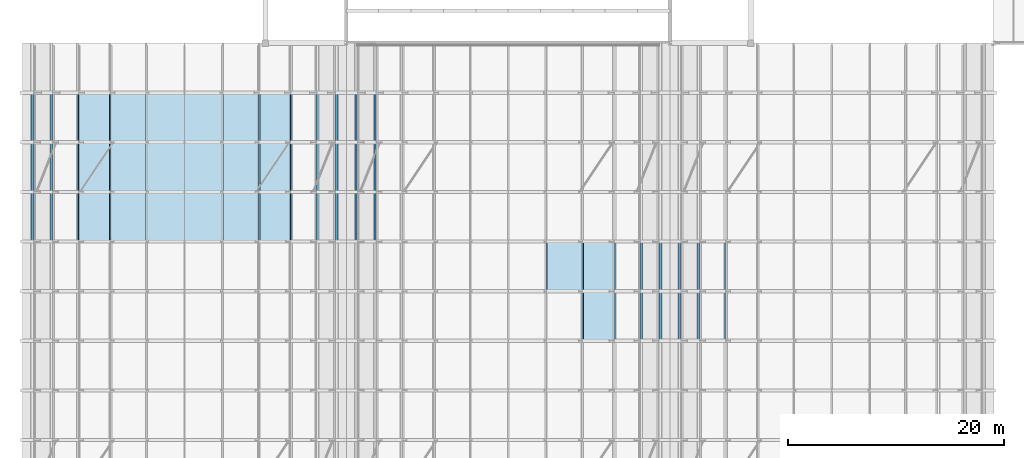
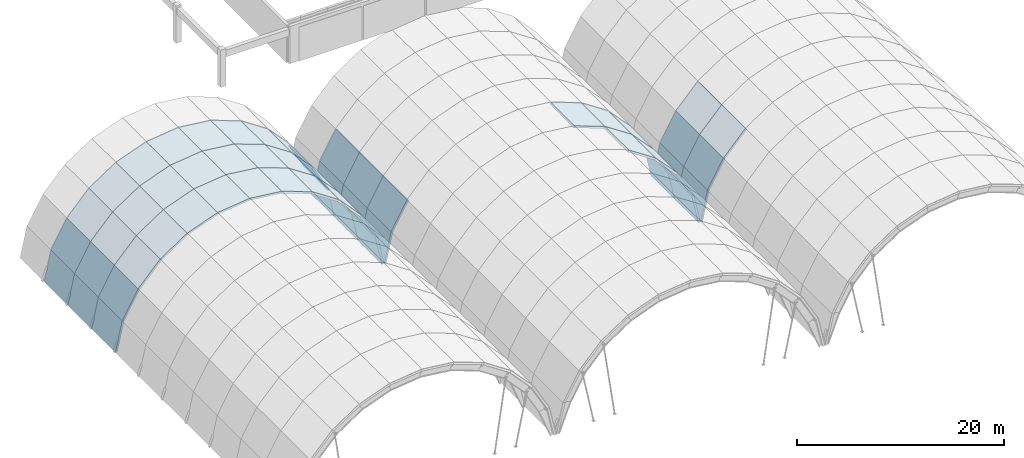
# One storey, part 22 of 47: 57 slabs, 3 elements without a shape of their own.
"""IFC4 building model written with IfcOpenShell, lengths in metres."""

from ifc_helpers import new_model, si_unit, direction, frame, origin, place, context, subcontext, project, spatial, polyline, outline, extrude, material, layer, layer_set, type_object, element, aggregate, save


model = new_model("IFC4")

# Units and contexts
model_context = context("Model", 3, precision=1e-05, world=origin(), true_north=direction((0.0, 1.0)))
body_context = subcontext(model_context, "Body", "Model", "MODEL_VIEW")
ifc_project = project(units=[si_unit("LENGTHUNIT", "METRE"), si_unit("AREAUNIT", "SQUARE_METRE"), si_unit("VOLUMEUNIT", "CUBIC_METRE"), si_unit("PLANEANGLEUNIT", "RADIAN"), si_unit("MASSUNIT", "GRAM", prefix="KILO")], contexts=[model_context])

# Site, building, storey
site_placement = place(None, origin())
site = spatial("IfcSite", under=ifc_project, at=site_placement, CompositionType="ELEMENT")
building_placement = place(site_placement, origin())
building = spatial("IfcBuilding", under=site, at=building_placement, Name="Muzn Square Opera House", CompositionType="ELEMENT")
storey_placement = place(building_placement, frame((0.0, 0.0, 31.0)))
storey = spatial("IfcBuildingStorey", under=building, at=storey_placement, Name="RF-1", CompositionType="ELEMENT", Elevation=31.0)

# Roof, slabs
ifc_material_1 = material(Name="Patina green copper-zinc standing seam", Category="metal")
roof_type = type_object("IfcRoofType", Name="Barrel Vault Roof Assembly", PredefinedType="BARREL_ROOF", material=ifc_material_1)
roof_1_placement = place(storey_placement, origin())
roof_1 = element("IfcRoof", 1, at=roof_1_placement, inside=storey, type_object=roof_type, Name="West Salon Barrel Vault Roof Assembly", PredefinedType="BARREL_ROOF")
ifc_material_2 = material(Name="Concrete C40/50", Category="concrete")
ifc_layer = layer(ifc_material_2, 0.219970703125, Name="Concrete C40/50", Category="concrete")
ifc_layer_set = layer_set([ifc_layer], Name="Concrete C40/50")
slab_type = type_object("IfcSlabType", Name="Barrel Vault Roof Slab 220mm", PredefinedType="ROOF", material=ifc_layer_set)
slab_1_placement = place(storey_placement, frame((43.780029296875, 54.199951171875, -9.03564453125), z_axis=(-0.97702538959, 0.0, 0.213122941272), x_axis=(0.0, 1.0, 0.0)))
slab_1 = element("IfcSlab", 2, at=slab_1_placement, type_object=slab_type, Name="Barrel Vault Roof Deck Strip V1-07-F00", PredefinedType="ROOF", context=body_context, shape_type="SweptSolid", body=[
    extrude(outline(polyline([(0.0, 3.5523162058829336), (0.0, 0.0), (4.60009765625, 0.0), (4.60009765625, 3.5523162058829336), (0.0, 3.5523162058829336)])), origin(), (0.0, 0.0, -1.0), 0.219970703125),
])
slab_2_placement = place(storey_placement, frame((45.55712890625, 54.199951171875, -5.891845703125), z_axis=(-0.870542692247, 0.0, 0.492092898724), x_axis=(0.0, 1.0, 0.0)))
slab_2 = element("IfcSlab", 3, at=slab_2_placement, type_object=slab_type, Name="Barrel Vault Roof Deck Strip V1-07-F01", PredefinedType="ROOF", context=body_context, shape_type="SweptSolid", body=[
    extrude(outline(polyline([(0.0, 3.611309193818898), (0.0, 0.0), (4.60009765625, 0.0), (4.60009765625, 3.611309193818898), (0.0, 3.611309193818898)])), origin(), (0.0, 0.0, -1.0), 0.219970703125),
])
slab_3_placement = place(storey_placement, frame((48.016845703125, 54.199951171875, -3.24755859375), z_axis=(-0.732198498352, 0.0, 0.681091300055), x_axis=(0.0, 1.0, 0.0)))
slab_3 = element("IfcSlab", 4, at=slab_3_placement, type_object=slab_type, Name="Barrel Vault Roof Deck Strip V1-07-F02", PredefinedType="ROOF", context=body_context, shape_type="SweptSolid", body=[
    extrude(outline(polyline([(0.0, 3.6114347616474824), (0.0, 0.0), (4.60009765625, 0.0), (4.60009765625, 3.6114347616474824), (0.0, 3.6114347616474824)])), origin(), (0.0, 0.0, -1.0), 0.219970703125),
])
slab_4_placement = place(storey_placement, frame((51.02392578125, 54.199951171875, -1.248046875), z_axis=(-0.553701293488, 0.0, 0.832715364089), x_axis=(0.0, 1.0, 0.0)))
slab_4 = element("IfcSlab", 5, at=slab_4_placement, type_object=slab_type, Name="Barrel Vault Roof Deck Strip V1-07-F03", PredefinedType="ROOF", context=body_context, shape_type="SweptSolid", body=[
    extrude(outline(polyline([(0.0, 3.611174007116637), (0.0, 0.0), (4.60009765625, 0.0), (4.60009765625, 3.611174007116637), (0.0, 3.611174007116637)])), origin(), (0.0, 0.0, -1.0), 0.219970703125),
])
slab_5_placement = place(storey_placement, frame((54.41357421875, 54.199951171875, -0.00244140625), z_axis=(-0.344922006795, 0.0, 0.938631348948), x_axis=(0.0, 1.0, 0.0)))
slab_5 = element("IfcSlab", 6, at=slab_5_placement, type_object=slab_type, Name="Barrel Vault Roof Deck Strip V1-07-F04", PredefinedType="ROOF", context=body_context, shape_type="SweptSolid", body=[
    extrude(outline(polyline([(0.0, 3.6112670233072075), (0.0, 0.0), (4.60009765625, 0.0), (4.60009765625, 3.6112670233072075), (0.0, 3.6112670233072075)])), origin(), (0.0, 0.0, -1.0), 0.219970703125),
])
slab_6_placement = place(storey_placement, frame((58.0, 54.199951171875, 0.419921875), z_axis=(-0.116958923267, 0.0, 0.993136753055), x_axis=(0.0, 1.0, 0.0)))
slab_6 = element("IfcSlab", 7, at=slab_6_placement, type_object=slab_type, Name="Barrel Vault Roof Deck Strip V1-07-F05", PredefinedType="ROOF", context=body_context, shape_type="SweptSolid", body=[
    extrude(outline(polyline([(0.0, 3.611210410065154), (0.0, 0.0), (4.60009765625, 0.0), (4.60009765625, 3.611210410065154), (0.0, 3.611210410065154)])), origin(), (0.0, 0.0, -1.0), 0.219970703125),
])
slab_7_placement = place(storey_placement, frame((58.0, 54.199951171875, 0.419921875), z_axis=(0.116958923267, 0.0, 0.993136753055), x_axis=(0.993136753055, 0.0, -0.116958923267)))
slab_7 = element("IfcSlab", 8, at=slab_7_placement, type_object=slab_type, Name="Barrel Vault Roof Deck Strip V1-07-F06", PredefinedType="ROOF", context=body_context, shape_type="SweptSolid", body=[
    extrude(outline(polyline([(0.0, 0.0), (3.611210410065154, 0.0), (3.611210410065154, 4.60009765625), (0.0, 4.60009765625), (0.0, 0.0)])), origin(), (0.0, 0.0, -1.0), 0.219970703125),
])
slab_8_placement = place(storey_placement, frame((61.58642578125, 54.199951171875, -0.00244140625), z_axis=(0.344922006795, 0.0, 0.938631348948), x_axis=(0.938631348948, 0.0, -0.344922006795)))
slab_8 = element("IfcSlab", 9, at=slab_8_placement, type_object=slab_type, Name="Barrel Vault Roof Deck Strip V1-07-F07", PredefinedType="ROOF", context=body_context, shape_type="SweptSolid", body=[
    extrude(outline(polyline([(0.0, 0.0), (3.6112670233072075, 0.0), (3.6112670233072075, 4.60009765625), (0.0, 4.60009765625), (0.0, 0.0)])), origin(), (0.0, 0.0, -1.0), 0.219970703125),
])
slab_9_placement = place(storey_placement, frame((64.97607421875, 54.199951171875, -1.248046875), z_axis=(0.553701293488, 0.0, 0.832715364089), x_axis=(0.832715364089, 0.0, -0.553701293488)))
slab_9 = element("IfcSlab", 10, at=slab_9_placement, type_object=slab_type, Name="Barrel Vault Roof Deck Strip V1-07-F08", PredefinedType="ROOF", context=body_context, shape_type="SweptSolid", body=[
    extrude(outline(polyline([(0.0, 0.0), (3.611174007116638, 0.0), (3.611174007116638, 4.600097656249999), (0.0, 4.600097656249999), (0.0, 0.0)])), origin(), (0.0, 0.0, -1.0), 0.219970703125),
])
slab_10_placement = place(storey_placement, frame((67.983154296875, 54.199951171875, -3.24755859375), z_axis=(0.732198498352, 0.0, 0.681091300055), x_axis=(0.681091300055, 0.0, -0.732198498352)))
slab_10 = element("IfcSlab", 11, at=slab_10_placement, type_object=slab_type, Name="Barrel Vault Roof Deck Strip V1-07-F09", PredefinedType="ROOF", context=body_context, shape_type="SweptSolid", body=[
    extrude(outline(polyline([(0.0, 0.0), (3.611434761647482, 0.0), (3.611434761647482, 4.600097656250001), (0.0, 4.600097656250001), (0.0, 0.0)])), origin(), (0.0, 0.0, -1.0), 0.219970703125),
])
slab_11_placement = place(storey_placement, frame((70.44287109375, 54.199951171875, -5.891845703125), z_axis=(0.870542692247, 0.0, 0.492092898724), x_axis=(0.492092898724, 0.0, -0.870542692247)))
slab_11 = element("IfcSlab", 12, at=slab_11_placement, type_object=slab_type, Name="Barrel Vault Roof Deck Strip V1-07-F10", PredefinedType="ROOF", context=body_context, shape_type="SweptSolid", body=[
    extrude(outline(polyline([(0.0, 0.0), (3.611309193818898, 0.0), (3.611309193818898, 4.60009765625), (0.0, 4.60009765625), (0.0, 0.0)])), origin(), (0.0, 0.0, -1.0), 0.219970703125),
])
slab_12_placement = place(storey_placement, frame((72.219970703125, 54.199951171875, -9.03564453125), z_axis=(0.97702538959, 0.0, 0.213122941272), x_axis=(0.213122941272, 0.0, -0.97702538959)))
slab_12 = element("IfcSlab", 13, at=slab_12_placement, type_object=slab_type, Name="Barrel Vault Roof Deck Strip V1-07-F11", PredefinedType="ROOF", context=body_context, shape_type="SweptSolid", body=[
    extrude(outline(polyline([(0.0, 0.0), (3.5523162058829336, 0.0), (3.5523162058829336, 4.60009765625), (0.0, 4.60009765625), (0.0, 0.0)])), origin(), (0.0, 0.0, -1.0), 0.219970703125),
])
slab_13_placement = place(storey_placement, frame((43.780029296875, 58.800048828125, -9.03564453125), z_axis=(-0.97702538959, 0.0, 0.213122941272), x_axis=(0.0, 1.0, 0.0)))
slab_13 = element("IfcSlab", 14, at=slab_13_placement, type_object=slab_type, Name="Barrel Vault Roof Deck Strip V1-08-F00", PredefinedType="ROOF", context=body_context, shape_type="SweptSolid", body=[
    extrude(outline(polyline([(0.0, 3.5523162058829336), (0.0, 0.0), (4.599853515625, 0.0), (4.599853515625, 3.5523162058829336), (0.0, 3.5523162058829336)])), origin(), (0.0, 0.0, -1.0), 0.219970703125),
])
slab_14_placement = place(storey_placement, frame((45.55712890625, 58.800048828125, -5.891845703125), z_axis=(-0.870542692247, 0.0, 0.492092898724), x_axis=(0.0, 1.0, 0.0)))
slab_14 = element("IfcSlab", 15, at=slab_14_placement, type_object=slab_type, Name="Barrel Vault Roof Deck Strip V1-08-F01", PredefinedType="ROOF", context=body_context, shape_type="SweptSolid", body=[
    extrude(outline(polyline([(0.0, 3.611309193818898), (0.0, 0.0), (4.599853515625, 0.0), (4.599853515625, 3.611309193818898), (0.0, 3.611309193818898)])), origin(), (0.0, 0.0, -1.0), 0.219970703125),
])
slab_15_placement = place(storey_placement, frame((48.016845703125, 58.800048828125, -3.24755859375), z_axis=(-0.732198498352, 0.0, 0.681091300055), x_axis=(0.0, 1.0, 0.0)))
slab_15 = element("IfcSlab", 16, at=slab_15_placement, type_object=slab_type, Name="Barrel Vault Roof Deck Strip V1-08-F02", PredefinedType="ROOF", context=body_context, shape_type="SweptSolid", body=[
    extrude(outline(polyline([(0.0, 3.6114347616474816), (0.0, 0.0), (4.599853515625, 0.0), (4.599853515625, 3.6114347616474816), (0.0, 3.6114347616474816)])), origin(), (0.0, 0.0, -1.0), 0.219970703125),
])
slab_16_placement = place(storey_placement, frame((51.02392578125, 58.800048828125, -1.248046875), z_axis=(-0.553701293488, 0.0, 0.832715364089), x_axis=(0.0, 1.0, 0.0)))
slab_16 = element("IfcSlab", 17, at=slab_16_placement, type_object=slab_type, Name="Barrel Vault Roof Deck Strip V1-08-F03", PredefinedType="ROOF", context=body_context, shape_type="SweptSolid", body=[
    extrude(outline(polyline([(0.0, 3.6111740071166376), (0.0, 0.0), (4.599853515625, 0.0), (4.599853515625, 3.6111740071166376), (0.0, 3.6111740071166376)])), origin(), (0.0, 0.0, -1.0), 0.219970703125),
])
slab_17_placement = place(storey_placement, frame((54.41357421875, 58.800048828125, -0.00244140625), z_axis=(-0.344922006795, 0.0, 0.938631348948), x_axis=(0.0, 1.0, 0.0)))
slab_17 = element("IfcSlab", 18, at=slab_17_placement, type_object=slab_type, Name="Barrel Vault Roof Deck Strip V1-08-F04", PredefinedType="ROOF", context=body_context, shape_type="SweptSolid", body=[
    extrude(outline(polyline([(0.0, 3.6112670233072075), (0.0, 0.0), (4.599853515625, 0.0), (4.599853515625, 3.6112670233072075), (0.0, 3.6112670233072075)])), origin(), (0.0, 0.0, -1.0), 0.219970703125),
])
slab_18_placement = place(storey_placement, frame((58.0, 58.800048828125, 0.419921875), z_axis=(-0.116958923267, 0.0, 0.993136753055), x_axis=(0.0, 1.0, 0.0)))
slab_18 = element("IfcSlab", 19, at=slab_18_placement, type_object=slab_type, Name="Barrel Vault Roof Deck Strip V1-08-F05", PredefinedType="ROOF", context=body_context, shape_type="SweptSolid", body=[
    extrude(outline(polyline([(0.0, 3.611210410065154), (0.0, 0.0), (4.599853515625, 0.0), (4.599853515625, 3.611210410065154), (0.0, 3.611210410065154)])), origin(), (0.0, 0.0, -1.0), 0.219970703125),
])
slab_19_placement = place(storey_placement, frame((58.0, 58.800048828125, 0.419921875), z_axis=(0.116958923267, 0.0, 0.993136753055), x_axis=(0.993136753055, 0.0, -0.116958923267)))
slab_19 = element("IfcSlab", 20, at=slab_19_placement, type_object=slab_type, Name="Barrel Vault Roof Deck Strip V1-08-F06", PredefinedType="ROOF", context=body_context, shape_type="SweptSolid", body=[
    extrude(outline(polyline([(0.0, 0.0), (3.611210410065154, 0.0), (3.611210410065154, 4.599853515625), (0.0, 4.599853515625), (0.0, 0.0)])), origin(), (0.0, 0.0, -1.0), 0.219970703125),
])
slab_20_placement = place(storey_placement, frame((61.58642578125, 58.800048828125, -0.00244140625), z_axis=(0.344922006795, 0.0, 0.938631348948), x_axis=(0.938631348948, 0.0, -0.344922006795)))
slab_20 = element("IfcSlab", 21, at=slab_20_placement, type_object=slab_type, Name="Barrel Vault Roof Deck Strip V1-08-F07", PredefinedType="ROOF", context=body_context, shape_type="SweptSolid", body=[
    extrude(outline(polyline([(0.0, 0.0), (3.6112670233072075, 0.0), (3.6112670233072075, 4.599853515625), (0.0, 4.599853515625), (0.0, 0.0)])), origin(), (0.0, 0.0, -1.0), 0.219970703125),
])
slab_21_placement = place(storey_placement, frame((64.97607421875, 58.800048828125, -1.248046875), z_axis=(0.553701293488, 0.0, 0.832715364089), x_axis=(0.832715364089, 0.0, -0.553701293488)))
slab_21 = element("IfcSlab", 22, at=slab_21_placement, type_object=slab_type, Name="Barrel Vault Roof Deck Strip V1-08-F08", PredefinedType="ROOF", context=body_context, shape_type="SweptSolid", body=[
    extrude(outline(polyline([(0.0, 0.0), (3.611174007116638, 0.0), (3.611174007116638, 4.599853515625), (0.0, 4.599853515625), (0.0, 0.0)])), origin(), (0.0, 0.0, -1.0), 0.219970703125),
])
slab_22_placement = place(storey_placement, frame((67.983154296875, 58.800048828125, -3.24755859375), z_axis=(0.732198498352, 0.0, 0.681091300055), x_axis=(0.681091300055, 0.0, -0.732198498352)))
slab_22 = element("IfcSlab", 23, at=slab_22_placement, type_object=slab_type, Name="Barrel Vault Roof Deck Strip V1-08-F09", PredefinedType="ROOF", context=body_context, shape_type="SweptSolid", body=[
    extrude(outline(polyline([(0.0, 0.0), (3.611434761647482, 0.0), (3.611434761647482, 4.599853515625), (0.0, 4.599853515625), (0.0, 0.0)])), origin(), (0.0, 0.0, -1.0), 0.219970703125),
])
slab_23_placement = place(storey_placement, frame((70.44287109375, 58.800048828125, -5.891845703125), z_axis=(0.870542692247, 0.0, 0.492092898724), x_axis=(0.492092898724, 0.0, -0.870542692247)))
slab_23 = element("IfcSlab", 24, at=slab_23_placement, type_object=slab_type, Name="Barrel Vault Roof Deck Strip V1-08-F10", PredefinedType="ROOF", context=body_context, shape_type="SweptSolid", body=[
    extrude(outline(polyline([(0.0, 0.0), (3.611309193818898, 0.0), (3.611309193818898, 4.599853515625), (0.0, 4.599853515625), (0.0, 0.0)])), origin(), (0.0, 0.0, -1.0), 0.219970703125),
])
slab_24_placement = place(storey_placement, frame((72.219970703125, 58.800048828125, -9.03564453125), z_axis=(0.97702538959, 0.0, 0.213122941272), x_axis=(0.213122941272, 0.0, -0.97702538959)))
slab_24 = element("IfcSlab", 25, at=slab_24_placement, type_object=slab_type, Name="Barrel Vault Roof Deck Strip V1-08-F11", PredefinedType="ROOF", context=body_context, shape_type="SweptSolid", body=[
    extrude(outline(polyline([(0.0, 0.0), (3.5523162058829336, 0.0), (3.5523162058829336, 4.599853515625), (0.0, 4.599853515625), (0.0, 0.0)])), origin(), (0.0, 0.0, -1.0), 0.219970703125),
])
slab_25_placement = place(storey_placement, frame((43.780029296875, 63.39990234375, -9.03564453125), z_axis=(-0.97702538959, 0.0, 0.213122941272), x_axis=(0.0, 1.0, 0.0)))
slab_25 = element("IfcSlab", 26, at=slab_25_placement, type_object=slab_type, Name="Barrel Vault Roof Deck Strip V1-09-F00", PredefinedType="ROOF", context=body_context, shape_type="SweptSolid", body=[
    extrude(outline(polyline([(0.0, 3.5523162058829336), (0.0, 0.0), (4.60009765625, 0.0), (4.60009765625, 3.5523162058829336), (0.0, 3.5523162058829336)])), origin(), (0.0, 0.0, -1.0), 0.219970703125),
])
slab_26_placement = place(storey_placement, frame((45.55712890625, 63.39990234375, -5.891845703125), z_axis=(-0.870542692247, 0.0, 0.492092898724), x_axis=(0.0, 1.0, 0.0)))
slab_26 = element("IfcSlab", 27, at=slab_26_placement, type_object=slab_type, Name="Barrel Vault Roof Deck Strip V1-09-F01", PredefinedType="ROOF", context=body_context, shape_type="SweptSolid", body=[
    extrude(outline(polyline([(0.0, 3.611309193818898), (0.0, 0.0), (4.60009765625, 0.0), (4.60009765625, 3.611309193818898), (0.0, 3.611309193818898)])), origin(), (0.0, 0.0, -1.0), 0.219970703125),
])
slab_27_placement = place(storey_placement, frame((48.016845703125, 63.39990234375, -3.24755859375), z_axis=(-0.732198498352, 0.0, 0.681091300055), x_axis=(0.0, 1.0, 0.0)))
slab_27 = element("IfcSlab", 28, at=slab_27_placement, type_object=slab_type, Name="Barrel Vault Roof Deck Strip V1-09-F02", PredefinedType="ROOF", context=body_context, shape_type="SweptSolid", body=[
    extrude(outline(polyline([(0.0, 3.6114347616474824), (0.0, 0.0), (4.60009765625, 0.0), (4.60009765625, 3.6114347616474824), (0.0, 3.6114347616474824)])), origin(), (0.0, 0.0, -1.0), 0.219970703125),
])
slab_28_placement = place(storey_placement, frame((51.02392578125, 63.39990234375, -1.248046875), z_axis=(-0.553701293488, 0.0, 0.832715364089), x_axis=(0.0, 1.0, 0.0)))
slab_28 = element("IfcSlab", 29, at=slab_28_placement, type_object=slab_type, Name="Barrel Vault Roof Deck Strip V1-09-F03", PredefinedType="ROOF", context=body_context, shape_type="SweptSolid", body=[
    extrude(outline(polyline([(0.0, 3.611174007116637), (0.0, 0.0), (4.60009765625, 0.0), (4.60009765625, 3.611174007116637), (0.0, 3.611174007116637)])), origin(), (0.0, 0.0, -1.0), 0.219970703125),
])
slab_29_placement = place(storey_placement, frame((54.41357421875, 63.39990234375, -0.00244140625), z_axis=(-0.344922006795, 0.0, 0.938631348948), x_axis=(0.0, 1.0, 0.0)))
slab_29 = element("IfcSlab", 30, at=slab_29_placement, type_object=slab_type, Name="Barrel Vault Roof Deck Strip V1-09-F04", PredefinedType="ROOF", context=body_context, shape_type="SweptSolid", body=[
    extrude(outline(polyline([(0.0, 3.6112670233072075), (0.0, 0.0), (4.60009765625, 0.0), (4.60009765625, 3.6112670233072075), (0.0, 3.6112670233072075)])), origin(), (0.0, 0.0, -1.0), 0.219970703125),
])
slab_30_placement = place(storey_placement, frame((58.0, 63.39990234375, 0.419921875), z_axis=(-0.116958923267, 0.0, 0.993136753055), x_axis=(0.0, 1.0, 0.0)))
slab_30 = element("IfcSlab", 31, at=slab_30_placement, type_object=slab_type, Name="Barrel Vault Roof Deck Strip V1-09-F05", PredefinedType="ROOF", context=body_context, shape_type="SweptSolid", body=[
    extrude(outline(polyline([(0.0, 3.611210410065154), (0.0, 0.0), (4.60009765625, 0.0), (4.60009765625, 3.611210410065154), (0.0, 3.611210410065154)])), origin(), (0.0, 0.0, -1.0), 0.219970703125),
])
slab_31_placement = place(storey_placement, frame((58.0, 63.39990234375, 0.419921875), z_axis=(0.116958923267, 0.0, 0.993136753055), x_axis=(0.993136753055, 0.0, -0.116958923267)))
slab_31 = element("IfcSlab", 32, at=slab_31_placement, type_object=slab_type, Name="Barrel Vault Roof Deck Strip V1-09-F06", PredefinedType="ROOF", context=body_context, shape_type="SweptSolid", body=[
    extrude(outline(polyline([(0.0, 0.0), (3.611210410065154, 0.0), (3.611210410065154, 4.60009765625), (0.0, 4.60009765625), (0.0, 0.0)])), origin(), (0.0, 0.0, -1.0), 0.219970703125),
])
slab_32_placement = place(storey_placement, frame((61.58642578125, 63.39990234375, -0.00244140625), z_axis=(0.344922006795, 0.0, 0.938631348948), x_axis=(0.938631348948, 0.0, -0.344922006795)))
slab_32 = element("IfcSlab", 33, at=slab_32_placement, type_object=slab_type, Name="Barrel Vault Roof Deck Strip V1-09-F07", PredefinedType="ROOF", context=body_context, shape_type="SweptSolid", body=[
    extrude(outline(polyline([(0.0, 0.0), (3.6112670233072075, 0.0), (3.6112670233072075, 4.60009765625), (0.0, 4.60009765625), (0.0, 0.0)])), origin(), (0.0, 0.0, -1.0), 0.219970703125),
])
slab_33_placement = place(storey_placement, frame((64.97607421875, 63.39990234375, -1.248046875), z_axis=(0.553701293488, 0.0, 0.832715364089), x_axis=(0.832715364089, 0.0, -0.553701293488)))
slab_33 = element("IfcSlab", 34, at=slab_33_placement, type_object=slab_type, Name="Barrel Vault Roof Deck Strip V1-09-F08", PredefinedType="ROOF", context=body_context, shape_type="SweptSolid", body=[
    extrude(outline(polyline([(0.0, 0.0), (3.611174007116638, 0.0), (3.611174007116638, 4.600097656249999), (0.0, 4.600097656249999), (0.0, 0.0)])), origin(), (0.0, 0.0, -1.0), 0.219970703125),
])
slab_34_placement = place(storey_placement, frame((67.983154296875, 63.39990234375, -3.24755859375), z_axis=(0.732198498352, 0.0, 0.681091300055), x_axis=(0.681091300055, 0.0, -0.732198498352)))
slab_34 = element("IfcSlab", 35, at=slab_34_placement, type_object=slab_type, Name="Barrel Vault Roof Deck Strip V1-09-F09", PredefinedType="ROOF", context=body_context, shape_type="SweptSolid", body=[
    extrude(outline(polyline([(0.0, 0.0), (3.611434761647482, 0.0), (3.611434761647482, 4.600097656250001), (0.0, 4.600097656250001), (0.0, 0.0)])), origin(), (0.0, 0.0, -1.0), 0.219970703125),
])
slab_35_placement = place(storey_placement, frame((70.44287109375, 63.39990234375, -5.891845703125), z_axis=(0.870542692247, 0.0, 0.492092898724), x_axis=(0.492092898724, 0.0, -0.870542692247)))
slab_35 = element("IfcSlab", 36, at=slab_35_placement, type_object=slab_type, Name="Barrel Vault Roof Deck Strip V1-09-F10", PredefinedType="ROOF", context=body_context, shape_type="SweptSolid", body=[
    extrude(outline(polyline([(0.0, 0.0), (3.611309193818898, 0.0), (3.611309193818898, 4.60009765625), (0.0, 4.60009765625), (0.0, 0.0)])), origin(), (0.0, 0.0, -1.0), 0.219970703125),
])
slab_36_placement = place(storey_placement, frame((72.219970703125, 63.39990234375, -9.03564453125), z_axis=(0.97702538959, 0.0, 0.213122941272), x_axis=(0.213122941272, 0.0, -0.97702538959)))
slab_36 = element("IfcSlab", 37, at=slab_36_placement, type_object=slab_type, Name="Barrel Vault Roof Deck Strip V1-09-F11", PredefinedType="ROOF", context=body_context, shape_type="SweptSolid", body=[
    extrude(outline(polyline([(0.0, 0.0), (3.5523162058829336, 0.0), (3.5523162058829336, 4.60009765625), (0.0, 4.60009765625), (0.0, 0.0)])), origin(), (0.0, 0.0, -1.0), 0.219970703125),
])
aggregate(roof_1, [slab_1, slab_2, slab_3, slab_4, slab_5, slab_6, slab_7, slab_8, slab_9, slab_10, slab_11, slab_12, slab_13, slab_14, slab_15, slab_16, slab_17, slab_18, slab_19, slab_20, slab_21, slab_22, slab_23, slab_24, slab_25, slab_26, slab_27, slab_28, slab_29, slab_30, slab_31, slab_32, slab_33, slab_34, slab_35, slab_36])

roof_2_placement = place(storey_placement, origin())
roof_2 = element("IfcRoof", 38, at=roof_2_placement, inside=storey, type_object=roof_type, Name="Grand Auditorium Barrel Vault Roof Assembly", PredefinedType="BARREL_ROOF")
slab_37_placement = place(storey_placement, frame((94.97607421875, 45.0, -1.248046875), z_axis=(0.553701293488, 0.0, 0.832715364089), x_axis=(0.832715364089, 0.0, -0.553701293488)))
slab_37 = element("IfcSlab", 39, at=slab_37_placement, type_object=slab_type, Name="Barrel Vault Roof Deck Strip V2-05-F08", PredefinedType="ROOF", context=body_context, shape_type="SweptSolid", body=[
    extrude(outline(polyline([(0.0, 0.0), (3.611174007116638, 0.0), (3.611174007116638, 4.600097656249999), (0.0, 4.600097656249999), (0.0, 0.0)])), origin(), (0.0, 0.0, -1.0), 0.219970703125),
])
slab_38_placement = place(storey_placement, frame((97.983154296875, 45.0, -3.24755859375), z_axis=(0.732198498352, 0.0, 0.681091300055), x_axis=(0.681091300055, 0.0, -0.732198498352)))
slab_38 = element("IfcSlab", 40, at=slab_38_placement, type_object=slab_type, Name="Barrel Vault Roof Deck Strip V2-05-F09", PredefinedType="ROOF", context=body_context, shape_type="SweptSolid", body=[
    extrude(outline(polyline([(0.0, 0.0), (3.611434761647482, 0.0), (3.611434761647482, 4.600097656250001), (0.0, 4.600097656250001), (0.0, 0.0)])), origin(), (0.0, 0.0, -1.0), 0.219970703125),
])
slab_39_placement = place(storey_placement, frame((100.44287109375, 45.0, -5.891845703125), z_axis=(0.870542692247, 0.0, 0.492092898724), x_axis=(0.492092898724, 0.0, -0.870542692247)))
slab_39 = element("IfcSlab", 41, at=slab_39_placement, type_object=slab_type, Name="Barrel Vault Roof Deck Strip V2-05-F10", PredefinedType="ROOF", context=body_context, shape_type="SweptSolid", body=[
    extrude(outline(polyline([(0.0, 0.0), (3.611309193818898, 0.0), (3.611309193818898, 4.60009765625), (0.0, 4.60009765625), (0.0, 0.0)])), origin(), (0.0, 0.0, -1.0), 0.219970703125),
])
slab_40_placement = place(storey_placement, frame((102.219970703125, 45.0, -9.03564453125), z_axis=(0.97702538959, 0.0, 0.213122941272), x_axis=(0.213122941272, 0.0, -0.97702538959)))
slab_40 = element("IfcSlab", 42, at=slab_40_placement, type_object=slab_type, Name="Barrel Vault Roof Deck Strip V2-05-F11", PredefinedType="ROOF", context=body_context, shape_type="SweptSolid", body=[
    extrude(outline(polyline([(0.0, 0.0), (3.5523162058829336, 0.0), (3.5523162058829336, 4.60009765625), (0.0, 4.60009765625), (0.0, 0.0)])), origin(), (0.0, 0.0, -1.0), 0.219970703125),
])
slab_41_placement = place(storey_placement, frame((91.58642578125, 49.60009765625, -0.00244140625), z_axis=(0.344922006795, 0.0, 0.938631348948), x_axis=(0.938631348948, 0.0, -0.344922006795)))
slab_41 = element("IfcSlab", 43, at=slab_41_placement, type_object=slab_type, Name="Barrel Vault Roof Deck Strip V2-06-F07", PredefinedType="ROOF", context=body_context, shape_type="SweptSolid", body=[
    extrude(outline(polyline([(0.0, 0.0), (3.6112670233072075, 0.0), (3.6112670233072075, 4.599853515625), (0.0, 4.599853515625), (0.0, 0.0)])), origin(), (0.0, 0.0, -1.0), 0.219970703125),
])
slab_42_placement = place(storey_placement, frame((94.97607421875, 49.60009765625, -1.248046875), z_axis=(0.553701293488, 0.0, 0.832715364089), x_axis=(0.832715364089, 0.0, -0.553701293488)))
slab_42 = element("IfcSlab", 44, at=slab_42_placement, type_object=slab_type, Name="Barrel Vault Roof Deck Strip V2-06-F08", PredefinedType="ROOF", context=body_context, shape_type="SweptSolid", body=[
    extrude(outline(polyline([(0.0, 0.0), (3.611174007116638, 0.0), (3.611174007116638, 4.599853515625), (0.0, 4.599853515625), (0.0, 0.0)])), origin(), (0.0, 0.0, -1.0), 0.219970703125),
])
slab_43_placement = place(storey_placement, frame((97.983154296875, 49.60009765625, -3.24755859375), z_axis=(0.732198498352, 0.0, 0.681091300055), x_axis=(0.681091300055, 0.0, -0.732198498352)))
slab_43 = element("IfcSlab", 45, at=slab_43_placement, type_object=slab_type, Name="Barrel Vault Roof Deck Strip V2-06-F09", PredefinedType="ROOF", context=body_context, shape_type="SweptSolid", body=[
    extrude(outline(polyline([(0.0, 0.0), (3.611434761647482, 0.0), (3.611434761647482, 4.599853515625), (0.0, 4.599853515625), (0.0, 0.0)])), origin(), (0.0, 0.0, -1.0), 0.219970703125),
])
slab_44_placement = place(storey_placement, frame((100.44287109375, 49.60009765625, -5.891845703125), z_axis=(0.870542692247, 0.0, 0.492092898724), x_axis=(0.492092898724, 0.0, -0.870542692247)))
slab_44 = element("IfcSlab", 46, at=slab_44_placement, type_object=slab_type, Name="Barrel Vault Roof Deck Strip V2-06-F10", PredefinedType="ROOF", context=body_context, shape_type="SweptSolid", body=[
    extrude(outline(polyline([(0.0, 0.0), (3.611309193818898, 0.0), (3.611309193818898, 4.599853515625), (0.0, 4.599853515625), (0.0, 0.0)])), origin(), (0.0, 0.0, -1.0), 0.219970703125),
])
slab_45_placement = place(storey_placement, frame((102.219970703125, 49.60009765625, -9.03564453125), z_axis=(0.97702538959, 0.0, 0.213122941272), x_axis=(0.213122941272, 0.0, -0.97702538959)))
slab_45 = element("IfcSlab", 47, at=slab_45_placement, type_object=slab_type, Name="Barrel Vault Roof Deck Strip V2-06-F11", PredefinedType="ROOF", context=body_context, shape_type="SweptSolid", body=[
    extrude(outline(polyline([(0.0, 0.0), (3.5523162058829336, 0.0), (3.5523162058829336, 4.599853515625), (0.0, 4.599853515625), (0.0, 0.0)])), origin(), (0.0, 0.0, -1.0), 0.219970703125),
])
slab_46_placement = place(storey_placement, frame((73.780029296875, 54.199951171875, -9.03564453125), z_axis=(-0.97702538959, 0.0, 0.213122941272), x_axis=(0.0, 1.0, 0.0)))
slab_46 = element("IfcSlab", 48, at=slab_46_placement, type_object=slab_type, Name="Barrel Vault Roof Deck Strip V2-07-F00", PredefinedType="ROOF", context=body_context, shape_type="SweptSolid", body=[
    extrude(outline(polyline([(0.0, 3.5523162058829336), (0.0, 0.0), (4.60009765625, 0.0), (4.60009765625, 3.5523162058829336), (0.0, 3.5523162058829336)])), origin(), (0.0, 0.0, -1.0), 0.219970703125),
])
slab_47_placement = place(storey_placement, frame((75.55712890625, 54.199951171875, -5.891845703125), z_axis=(-0.870542692247, 0.0, 0.492092898724), x_axis=(0.0, 1.0, 0.0)))
slab_47 = element("IfcSlab", 49, at=slab_47_placement, type_object=slab_type, Name="Barrel Vault Roof Deck Strip V2-07-F01", PredefinedType="ROOF", context=body_context, shape_type="SweptSolid", body=[
    extrude(outline(polyline([(0.0, 3.611309193818898), (0.0, 0.0), (4.60009765625, 0.0), (4.60009765625, 3.611309193818898), (0.0, 3.611309193818898)])), origin(), (0.0, 0.0, -1.0), 0.219970703125),
])
slab_48_placement = place(storey_placement, frame((73.780029296875, 58.800048828125, -9.03564453125), z_axis=(-0.97702538959, 0.0, 0.213122941272), x_axis=(0.0, 1.0, 0.0)))
slab_48 = element("IfcSlab", 50, at=slab_48_placement, type_object=slab_type, Name="Barrel Vault Roof Deck Strip V2-08-F00", PredefinedType="ROOF", context=body_context, shape_type="SweptSolid", body=[
    extrude(outline(polyline([(0.0, 3.5523162058829336), (0.0, 0.0), (4.599853515625, 0.0), (4.599853515625, 3.5523162058829336), (0.0, 3.5523162058829336)])), origin(), (0.0, 0.0, -1.0), 0.219970703125),
])
slab_49_placement = place(storey_placement, frame((75.55712890625, 58.800048828125, -5.891845703125), z_axis=(-0.870542692247, 0.0, 0.492092898724), x_axis=(0.0, 1.0, 0.0)))
slab_49 = element("IfcSlab", 51, at=slab_49_placement, type_object=slab_type, Name="Barrel Vault Roof Deck Strip V2-08-F01", PredefinedType="ROOF", context=body_context, shape_type="SweptSolid", body=[
    extrude(outline(polyline([(0.0, 3.611309193818898), (0.0, 0.0), (4.599853515625, 0.0), (4.599853515625, 3.611309193818898), (0.0, 3.611309193818898)])), origin(), (0.0, 0.0, -1.0), 0.219970703125),
])
slab_50_placement = place(storey_placement, frame((73.780029296875, 63.39990234375, -9.03564453125), z_axis=(-0.97702538959, 0.0, 0.213122941272), x_axis=(0.0, 1.0, 0.0)))
slab_50 = element("IfcSlab", 52, at=slab_50_placement, type_object=slab_type, Name="Barrel Vault Roof Deck Strip V2-09-F00", PredefinedType="ROOF", context=body_context, shape_type="SweptSolid", body=[
    extrude(outline(polyline([(0.0, 3.5523162058829336), (0.0, 0.0), (4.60009765625, 0.0), (4.60009765625, 3.5523162058829336), (0.0, 3.5523162058829336)])), origin(), (0.0, 0.0, -1.0), 0.219970703125),
])
slab_51_placement = place(storey_placement, frame((75.55712890625, 63.39990234375, -5.891845703125), z_axis=(-0.870542692247, 0.0, 0.492092898724), x_axis=(0.0, 1.0, 0.0)))
slab_51 = element("IfcSlab", 53, at=slab_51_placement, type_object=slab_type, Name="Barrel Vault Roof Deck Strip V2-09-F01", PredefinedType="ROOF", context=body_context, shape_type="SweptSolid", body=[
    extrude(outline(polyline([(0.0, 3.611309193818898), (0.0, 0.0), (4.60009765625, 0.0), (4.60009765625, 3.611309193818898), (0.0, 3.611309193818898)])), origin(), (0.0, 0.0, -1.0), 0.219970703125),
])
aggregate(roof_2, [slab_37, slab_38, slab_39, slab_40, slab_41, slab_42, slab_43, slab_44, slab_45, slab_46, slab_47, slab_48, slab_49, slab_50, slab_51])

roof_3_placement = place(storey_placement, origin())
roof_3 = element("IfcRoof", 54, at=roof_3_placement, inside=storey, type_object=roof_type, Name="East Foyer Barrel Vault Roof Assembly", PredefinedType="BARREL_ROOF")
slab_52_placement = place(storey_placement, frame((103.780029296875, 45.0, -9.03564453125), z_axis=(-0.97702538959, 0.0, 0.213122941272), x_axis=(0.0, 1.0, 0.0)))
slab_52 = element("IfcSlab", 55, at=slab_52_placement, type_object=slab_type, Name="Barrel Vault Roof Deck Strip V3-05-F00", PredefinedType="ROOF", context=body_context, shape_type="SweptSolid", body=[
    extrude(outline(polyline([(0.0, 3.5523162058829336), (0.0, 0.0), (4.60009765625, 0.0), (4.60009765625, 3.5523162058829336), (0.0, 3.5523162058829336)])), origin(), (0.0, 0.0, -1.0), 0.219970703125),
])
slab_53_placement = place(storey_placement, frame((105.55712890625, 45.0, -5.891845703125), z_axis=(-0.870542692247, 0.0, 0.492092898724), x_axis=(0.0, 1.0, 0.0)))
slab_53 = element("IfcSlab", 56, at=slab_53_placement, type_object=slab_type, Name="Barrel Vault Roof Deck Strip V3-05-F01", PredefinedType="ROOF", context=body_context, shape_type="SweptSolid", body=[
    extrude(outline(polyline([(0.0, 3.611309193818898), (0.0, 0.0), (4.60009765625, 0.0), (4.60009765625, 3.611309193818898), (0.0, 3.611309193818898)])), origin(), (0.0, 0.0, -1.0), 0.219970703125),
])
slab_54_placement = place(storey_placement, frame((108.016845703125, 45.0, -3.24755859375), z_axis=(-0.732198498352, 0.0, 0.681091300055), x_axis=(0.0, 1.0, 0.0)))
slab_54 = element("IfcSlab", 57, at=slab_54_placement, type_object=slab_type, Name="Barrel Vault Roof Deck Strip V3-05-F02", PredefinedType="ROOF", context=body_context, shape_type="SweptSolid", body=[
    extrude(outline(polyline([(0.0, 3.6114347616474824), (0.0, 0.0), (4.60009765625, 0.0), (4.60009765625, 3.6114347616474824), (0.0, 3.6114347616474824)])), origin(), (0.0, 0.0, -1.0), 0.219970703125),
])
slab_55_placement = place(storey_placement, frame((103.780029296875, 49.60009765625, -9.03564453125), z_axis=(-0.97702538959, 0.0, 0.213122941272), x_axis=(0.0, 1.0, 0.0)))
slab_55 = element("IfcSlab", 58, at=slab_55_placement, type_object=slab_type, Name="Barrel Vault Roof Deck Strip V3-06-F00", PredefinedType="ROOF", context=body_context, shape_type="SweptSolid", body=[
    extrude(outline(polyline([(0.0, 3.5523162058829336), (0.0, 0.0), (4.599853515625, 0.0), (4.599853515625, 3.5523162058829336), (0.0, 3.5523162058829336)])), origin(), (0.0, 0.0, -1.0), 0.219970703125),
])
slab_56_placement = place(storey_placement, frame((105.55712890625, 49.60009765625, -5.891845703125), z_axis=(-0.870542692247, 0.0, 0.492092898724), x_axis=(0.0, 1.0, 0.0)))
slab_56 = element("IfcSlab", 59, at=slab_56_placement, type_object=slab_type, Name="Barrel Vault Roof Deck Strip V3-06-F01", PredefinedType="ROOF", context=body_context, shape_type="SweptSolid", body=[
    extrude(outline(polyline([(0.0, 3.611309193818898), (0.0, 0.0), (4.599853515625, 0.0), (4.599853515625, 3.611309193818898), (0.0, 3.611309193818898)])), origin(), (0.0, 0.0, -1.0), 0.219970703125),
])
slab_57_placement = place(storey_placement, frame((108.016845703125, 49.60009765625, -3.24755859375), z_axis=(-0.732198498352, 0.0, 0.681091300055), x_axis=(0.0, 1.0, 0.0)))
slab_57 = element("IfcSlab", 60, at=slab_57_placement, type_object=slab_type, Name="Barrel Vault Roof Deck Strip V3-06-F02", PredefinedType="ROOF", context=body_context, shape_type="SweptSolid", body=[
    extrude(outline(polyline([(0.0, 3.6114347616474816), (0.0, 0.0), (4.599853515625, 0.0), (4.599853515625, 3.6114347616474816), (0.0, 3.6114347616474816)])), origin(), (0.0, 0.0, -1.0), 0.219970703125),
])
aggregate(roof_3, [slab_52, slab_53, slab_54, slab_55, slab_56, slab_57])

save(model, "model.ifc")
